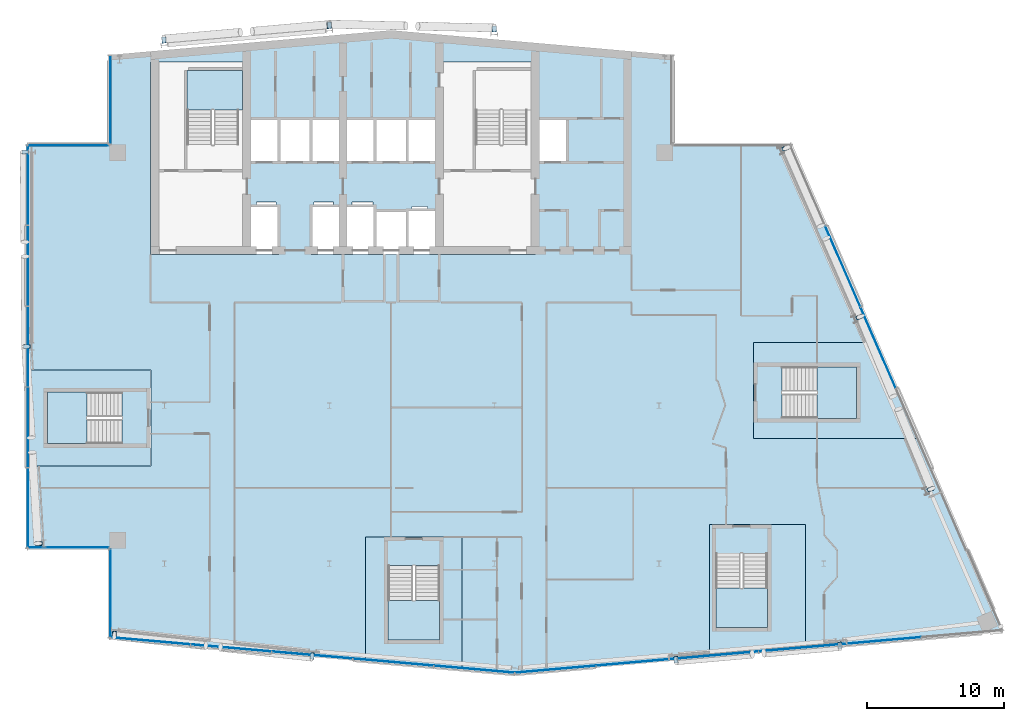
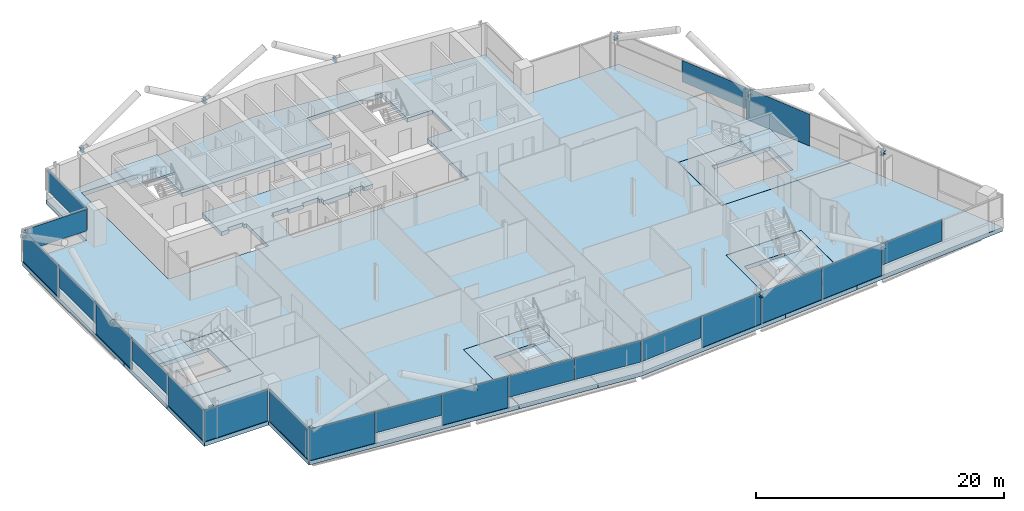
# One storey, part 13 of 28: 21 plates, 14 members, 10 slabs, 13 elements without a shape of their own.
"""IFC4 building model written with IfcOpenShell, lengths in metres."""

from ifc_helpers import new_model, si_unit, direction, frame, origin, origin_2d, place, context, subcontext, project, spatial, polyline, rectangle, i_section, outline, extrude, material, layer, layer_set, material_profile, profile_set, type_object, element, aggregate, save


model = new_model("IFC4")

# Units and contexts
model_context = context("Model", 3, precision=1e-05, world=origin(), true_north=direction((0.0, 1.0)))
body_context = subcontext(model_context, "Body", "Model", "MODEL_VIEW")
ifc_project = project(units=[si_unit("LENGTHUNIT", "METRE"), si_unit("AREAUNIT", "SQUARE_METRE"), si_unit("VOLUMEUNIT", "CUBIC_METRE"), si_unit("PLANEANGLEUNIT", "RADIAN"), si_unit("MASSUNIT", "GRAM", prefix="KILO")], contexts=[model_context])

# Site, building, storey
site_placement = place(None, origin())
site = spatial("IfcSite", under=ifc_project, at=site_placement, CompositionType="ELEMENT")
building_placement = place(site_placement, origin())
building = spatial("IfcBuilding", under=site, at=building_placement, Name="Wharfspan Tower", CompositionType="ELEMENT")
storey_placement = place(building_placement, frame((0.0, 0.0, 250.300049)))
storey = spatial("IfcBuildingStorey", under=building, at=storey_placement, Name="L63", CompositionType="ELEMENT", Elevation=250.300049)

# Members
ifc_material_1 = material(Name="Steel S355J2", Category="steel")
ifc_material_profile = material_profile(ifc_material_1, i_section(OverallWidth=0.300049, OverallDepth=0.300049, WebThickness=0.010986, FlangeThickness=0.019043, FilletRadius=0.0271, at=origin_2d()))
ifc_profile_set = profile_set([ifc_material_profile], Name="Steel S355J2")
member_type = type_object("IfcMemberType", Name="Brace node stub HEB 300", PredefinedType="STRUT", material=ifc_profile_set)
for number, where, z_axis, x_axis, name in (
    (1, (20.37915, 6.553223, 2.899902), (-0.086907, -0.996216, 0.0), (0.996216, -0.086907, 0.0), "Brace node stub L64 S1 A"),
    (2, (34.768311, 4.993896, 2.899902), (-0.086907, -0.996216, 0.0), (0.996216, -0.086907, 0.0), "Brace node stub L64 S1 B"),
    (3, (61.215332, 4.72998, 2.899902), (0.08744, -0.99617, 0.0), (0.99617, 0.08744, 0.0), "Brace node stub L64 S2 A"),
    (4, (73.148438, 5.773926, 2.899902), (0.086907, -0.996216, 0.0), (0.996216, 0.086907, 0.0), "Brace node stub L64 S2 B"),
    (5, (14.098145, 41.459717, 2.899902), (-1.0, 0.0, 0.0), (0.0, -1.0, 0.0), "Brace node stub L64 W A"),
    (6, (14.209961, 27.300049, 2.899902), (-1.0, 0.0, 0.0), (0.0, -1.0, 0.0), "Brace node stub L64 W B"),
):
    element("IfcMember", number, at=place(storey_placement, frame(where, z_axis=z_axis, x_axis=x_axis)), inside=storey, type_object=member_type, Name=name, PredefinedType="STRUT", context=body_context, shape_type="SweptSolid", body=[
        extrude(i_section(OverallWidth=0.300049, OverallDepth=0.300049, WebThickness=0.010986, FlangeThickness=0.019043, FilletRadius=0.0271, at=origin_2d()), origin(), (0.0, 0.0, 1.0), 0.455078),
    ])
member_placement = place(storey_placement, frame((15.087646, 12.963379, 2.899902), z_axis=(-1.0, 0.0, 0.0), x_axis=(0.0, -1.0, 0.0)))
element("IfcMember", 7, at=member_placement, inside=storey, type_object=member_type, Name="Brace node stub L64 W B", PredefinedType="STRUT", context=body_context, shape_type="SweptSolid", body=[
    extrude(i_section(OverallWidth=0.300049, OverallDepth=0.300049, WebThickness=0.010986, FlangeThickness=0.019043, FilletRadius=0.0271, at=origin_2d()), origin(), (0.0, 0.0, 1.0), 0.454834),
])
for number, where, z_axis, x_axis, name in (
    (8, (79.547363, 16.821533, 2.899902), (0.917079, 0.398706, 0.0), (-0.398706, 0.917079, 0.0), "Brace node stub L64 E A"),
    (9, (74.373047, 29.354736, 2.899902), (0.917079, 0.398706, 0.0), (-0.398706, 0.917079, 0.0), "Brace node stub L64 E B"),
    (10, (69.004883, 41.63208, 2.899902), (0.917079, 0.398706, 0.0), (-0.398706, 0.917079, 0.0), "Brace node stub L64 E B"),
    (11, (23.987305, 49.381348, 2.899902), (-0.08744, 0.99617, 0.0), (-0.99617, -0.08744, 0.0), "Brace node stub L64 N1 A"),
    (12, (35.987305, 50.431152, 2.899902), (-0.08744, 0.99617, 0.0), (-0.99617, -0.08744, 0.0), "Brace node stub L64 N1 B"),
):
    element("IfcMember", number, at=place(storey_placement, frame(where, z_axis=z_axis, x_axis=x_axis)), inside=storey, type_object=member_type, Name=name, PredefinedType="STRUT", context=body_context, shape_type="SweptSolid", body=[
        extrude(i_section(OverallWidth=0.300049, OverallDepth=0.300049, WebThickness=0.010986, FlangeThickness=0.019043, FilletRadius=0.0271, at=origin_2d()), origin(), (0.0, 0.0, 1.0), 0.455078),
    ])
for number, where, z_axis, x_axis, name in (
    (13, (36.003906, 50.458008, 2.899902), (0.021466, 0.99977, 0.0), (-0.99977, 0.021466, 0.0), "Brace node stub L64 N1 A"),
    (14, (48.003662, 50.185303, 2.899902), (0.021466, 0.99977, 0.0), (-0.99977, 0.021466, 0.0), "Brace node stub L64 N1 B"),
):
    element("IfcMember", number, at=place(storey_placement, frame(where, z_axis=z_axis, x_axis=x_axis)), inside=storey, type_object=member_type, Name=name, PredefinedType="STRUT", context=body_context, shape_type="SweptSolid", body=[
        extrude(i_section(OverallWidth=0.300049, OverallDepth=0.300049, WebThickness=0.010986, FlangeThickness=0.019043, FilletRadius=0.0271, at=origin_2d()), origin(), (0.0, 0.0, 1.0), 0.454834),
    ])

# Curtain wall, plates
ifc_material_2 = material(Name="Aluminium 6063-T6", Category="aluminium")
curtain_wall_type_1 = type_object("IfcCurtainWallType", Name="CURTAIN WALL FACETED FRONT", PredefinedType="NOTDEFINED", material=ifc_material_2)
curtain_wall_1_placement = place(storey_placement, origin())
curtain_wall_1 = element("IfcCurtainWall", 15, at=curtain_wall_1_placement, inside=storey, type_object=curtain_wall_type_1, Name="Curtain wall S1", PredefinedType="NOTDEFINED")
ifc_material_3 = material(Name="Glass clear low-iron double glazing", Category="glass")
ifc_layer_1 = layer(ifc_material_3, 0.040039)
ifc_layer_set_1 = layer_set([ifc_layer_1], Name="Glass clear low-iron double glazing")
plate_type_1 = type_object("IfcPlateType", Name="GLASS PANEL FACETED FRONT 40", PredefinedType="CURTAIN_PANEL", material=ifc_layer_set_1)
plate_1_placement = place(storey_placement, frame((28.855225, 5.360596, 1.0), z_axis=(0.0, 0.0, 1.0), x_axis=(0.996197, -0.087156, 0.0)))
plate_1 = element("IfcPlate", 16, at=plate_1_placement, type_object=plate_type_1, Name="Curtain wall S1 panel 2", PredefinedType="CURTAIN_PANEL", context=body_context, shape_type="SweptSolid", body=[
    extrude(rectangle(XDim=5.862549, YDim=0.040039, at=origin_2d()), origin(), (0.0, 0.0, 1.0), 2.120117),
])
plate_2_placement = place(storey_placement, frame((40.655273, 4.328125, 1.0), z_axis=(0.0, 0.0, 1.0), x_axis=(0.996197, -0.087156, 0.0)))
plate_2 = element("IfcPlate", 17, at=plate_2_placement, type_object=plate_type_1, Name="Curtain wall S1 panel 4", PredefinedType="CURTAIN_PANEL", context=body_context, shape_type="SweptSolid", body=[
    extrude(rectangle(XDim=5.862549, YDim=0.040039, at=origin_2d()), origin(), (0.0, 0.0, 1.0), 2.120117),
])
plate_3_placement = place(storey_placement, frame((46.540283, 3.813232, 1.0), z_axis=(0.0, 0.0, 1.0), x_axis=(0.996197, -0.087156, 0.0)))
plate_3 = element("IfcPlate", 18, at=plate_3_placement, type_object=plate_type_1, Name="Curtain wall S1 panel 5", PredefinedType="CURTAIN_PANEL", context=body_context, shape_type="SweptSolid", body=[
    extrude(rectangle(XDim=5.83252, YDim=0.040039, at=origin_2d()), origin(), (0.0, 0.0, 1.0), 2.120117),
])

curtain_wall_2_placement = place(storey_placement, origin())
curtain_wall_2 = element("IfcCurtainWall", 19, at=curtain_wall_2_placement, inside=storey, type_object=curtain_wall_type_1, Name="Curtain wall S2", PredefinedType="NOTDEFINED")
plate_4_placement = place(storey_placement, frame((52.468018, 3.813965, 1.0), z_axis=(0.0, 0.0, 1.0), x_axis=(0.996197, 0.087156, 0.0)))
plate_4 = element("IfcPlate", 20, at=plate_4_placement, type_object=plate_type_1, Name="Curtain wall S2 panel 1", PredefinedType="CURTAIN_PANEL", context=body_context, shape_type="SweptSolid", body=[
    extrude(rectangle(XDim=5.849365, YDim=0.040039, at=origin_2d()), origin(), (0.0, 0.0, 1.0), 2.120117),
])
plate_5_placement = place(storey_placement, frame((76.119873, 5.883301, 1.0), z_axis=(0.0, 0.0, 1.0), x_axis=(0.996197, 0.087156, 0.0)))
plate_5 = element("IfcPlate", 21, at=plate_5_placement, type_object=plate_type_1, Name="Curtain wall S2 panel 5", PredefinedType="CURTAIN_PANEL", context=body_context, shape_type="SweptSolid", body=[
    extrude(rectangle(XDim=5.87915, YDim=0.040039, at=origin_2d()), origin(), (0.0, 0.0, 1.0), 2.120117),
])

# Curtain wall, plate
curtain_wall_type_2 = type_object("IfcCurtainWallType", Name="CURTAIN WALL PROW AND END", PredefinedType="NOTDEFINED", material=ifc_material_2)
curtain_wall_3_placement = place(storey_placement, origin())
curtain_wall_3 = element("IfcCurtainWall", 22, at=curtain_wall_3_placement, inside=storey, type_object=curtain_wall_type_2, Name="Curtain wall E", PredefinedType="NOTDEFINED")
ifc_layer_2 = layer(ifc_material_3, 0.040039)
ifc_layer_set_2 = layer_set([ifc_layer_2], Name="Glass clear low-iron double glazing")
plate_type_2 = type_object("IfcPlateType", Name="GLASS PANEL PROW AND END 40", PredefinedType="CURTAIN_PANEL", material=ifc_layer_set_2)
plate_6_placement = place(storey_placement, frame((73.383057, 33.118164, 1.0), z_axis=(0.0, 0.0, 1.0), x_axis=(-0.398727, 0.917072, 0.0)))
plate_6 = element("IfcPlate", 23, at=plate_6_placement, type_object=plate_type_2, Name="Curtain wall E panel 5", PredefinedType="CURTAIN_PANEL", context=body_context, shape_type="SweptSolid", body=[
    extrude(rectangle(XDim=6.373535, YDim=0.040039, at=origin_2d()), origin(), (0.0, 0.0, 1.0), 2.120117),
])

curtain_wall_4_placement = place(storey_placement, origin())
curtain_wall_4 = element("IfcCurtainWall", 24, at=curtain_wall_4_placement, inside=storey, type_object=curtain_wall_type_2, Name="Curtain wall NRW-V", PredefinedType="NOTDEFINED")
plate_7_placement = place(storey_placement, frame((20.080078, 45.262451, 1.0), z_axis=(0.0, 0.0, 1.0), x_axis=(0.0, -1.0, 0.0)))
plate_7 = element("IfcPlate", 25, at=plate_7_placement, type_object=plate_type_2, Name="Curtain wall NRW-V panel 1", PredefinedType="CURTAIN_PANEL", context=body_context, shape_type="SweptSolid", body=[
    extrude(rectangle(XDim=6.405029, YDim=0.040039, at=origin_2d()), origin(), (0.0, 0.0, 1.0), 2.120117),
])
aggregate(curtain_wall_4, [plate_7])

curtain_wall_5_placement = place(storey_placement, origin())
curtain_wall_5 = element("IfcCurtainWall", 26, at=curtain_wall_5_placement, inside=storey, type_object=curtain_wall_type_2, Name="Curtain wall NRW-H", PredefinedType="NOTDEFINED")
plate_8_placement = place(storey_placement, frame((17.0, 41.919922, 1.0), z_axis=(0.0, 0.0, 1.0), x_axis=(-1.0, 0.0, 0.0)))
plate_8 = element("IfcPlate", 27, at=plate_8_placement, type_object=plate_type_2, Name="Curtain wall NRW-H panel 1", PredefinedType="CURTAIN_PANEL", context=body_context, shape_type="SweptSolid", body=[
    extrude(rectangle(XDim=5.879883, YDim=0.040039, at=origin_2d()), origin(), (0.0, 0.0, 1.0), 2.120117),
])
aggregate(curtain_wall_5, [plate_8])

# Curtain wall, plates
curtain_wall_6_placement = place(storey_placement, origin())
curtain_wall_6 = element("IfcCurtainWall", 28, at=curtain_wall_6_placement, inside=storey, type_object=curtain_wall_type_2, Name="Curtain wall W", PredefinedType="NOTDEFINED")
plate_9_placement = place(storey_placement, frame((14.080078, 33.179932, 1.0), z_axis=(0.0, 0.0, 1.0), x_axis=(0.0, -1.0, 0.0)))
plate_9 = element("IfcPlate", 29, at=plate_9_placement, type_object=plate_type_2, Name="Curtain wall W panel 2", PredefinedType="CURTAIN_PANEL", context=body_context, shape_type="SweptSolid", body=[
    extrude(rectangle(XDim=5.820068, YDim=0.040039, at=origin_2d()), origin(), (0.0, 0.0, 1.0), 2.120117),
])
plate_10_placement = place(storey_placement, frame((14.080078, 21.419922, 1.0), z_axis=(0.0, 0.0, 1.0), x_axis=(0.0, -1.0, 0.0)))
plate_10 = element("IfcPlate", 30, at=plate_10_placement, type_object=plate_type_2, Name="Curtain wall W panel 4", PredefinedType="CURTAIN_PANEL", context=body_context, shape_type="SweptSolid", body=[
    extrude(rectangle(XDim=5.820068, YDim=0.040039, at=origin_2d()), origin(), (0.0, 0.0, 1.0), 2.120117),
])

# Plate
ifc_material_4 = material(Name="Aluminium composite opaque insulated panel", Category="aluminium")
ifc_layer_3 = layer(ifc_material_4, 0.040039)
ifc_layer_set_3 = layer_set([ifc_layer_3], Name="Aluminium composite opaque insulated panel")
plate_type_3 = type_object("IfcPlateType", Name="INFILL PANEL FACETED FRONT OPAQUE 40", PredefinedType="SHEET", material=ifc_layer_set_3)
plate_11_placement = place(storey_placement, frame((22.970215, 5.875488, 0.0), z_axis=(0.0, 0.0, 1.0), x_axis=(0.996197, -0.087156, 0.0)))
plate_11 = element("IfcPlate", 31, at=plate_11_placement, type_object=plate_type_3, Name="Curtain wall S1 panel 1", PredefinedType="SHEET", context=body_context, shape_type="SweptSolid", body=[
    extrude(rectangle(XDim=5.83252, YDim=0.040039, at=origin_2d()), origin(), (0.0, 0.0, 1.0), 3.120117),
])

plate_12_placement = place(storey_placement, frame((34.755127, 4.844482, 0.0), z_axis=(0.0, 0.0, 1.0), x_axis=(0.996197, -0.087156, 0.0)))
plate_12 = element("IfcPlate", 32, at=plate_12_placement, type_object=plate_type_3, Name="Curtain wall S1 panel 3", PredefinedType="SHEET", context=body_context, shape_type="SweptSolid", body=[
    extrude(rectangle(XDim=5.862549, YDim=0.040039, at=origin_2d()), origin(), (0.0, 0.0, 1.0), 3.120117),
])

aggregate(curtain_wall_1, [plate_11, plate_1, plate_12, plate_2, plate_3])

plate_13_placement = place(storey_placement, frame((58.369873, 4.330322, 0.0), z_axis=(0.0, 0.0, 1.0), x_axis=(0.996197, 0.087156, 0.0)))
plate_13 = element("IfcPlate", 33, at=plate_13_placement, type_object=plate_type_3, Name="Curtain wall S2 panel 2", PredefinedType="SHEET", context=body_context, shape_type="SweptSolid", body=[
    extrude(rectangle(XDim=5.87915, YDim=0.040039, at=origin_2d()), origin(), (0.0, 0.0, 1.0), 3.120117),
])

plate_14_placement = place(storey_placement, frame((64.286377, 4.848145, 0.0), z_axis=(0.0, 0.0, 1.0), x_axis=(0.996197, 0.087156, 0.0)))
plate_14 = element("IfcPlate", 34, at=plate_14_placement, type_object=plate_type_3, Name="Curtain wall S2 panel 3", PredefinedType="SHEET", context=body_context, shape_type="SweptSolid", body=[
    extrude(rectangle(XDim=5.87915, YDim=0.040039, at=origin_2d()), origin(), (0.0, 0.0, 1.0), 3.120117),
])

plate_15_placement = place(storey_placement, frame((70.203125, 5.365723, 0.0), z_axis=(0.0, 0.0, 1.0), x_axis=(0.996197, 0.087156, 0.0)))
plate_15 = element("IfcPlate", 35, at=plate_15_placement, type_object=plate_type_3, Name="Curtain wall S2 panel 4", PredefinedType="SHEET", context=body_context, shape_type="SweptSolid", body=[
    extrude(rectangle(XDim=5.87915, YDim=0.040039, at=origin_2d()), origin(), (0.0, 0.0, 1.0), 3.120117),
])

aggregate(curtain_wall_2, [plate_4, plate_13, plate_14, plate_15, plate_5])

ifc_layer_4 = layer(ifc_material_4, 0.040039)
ifc_layer_set_4 = layer_set([ifc_layer_4], Name="Aluminium composite opaque insulated panel")
plate_type_4 = type_object("IfcPlateType", Name="INFILL PANEL PROW AND END OPAQUE 40", PredefinedType="SHEET", material=ifc_layer_set_4)
plate_16_placement = place(storey_placement, frame((75.948486, 27.218018, 0.0), z_axis=(0.0, 0.0, 1.0), x_axis=(-0.398727, 0.917072, 0.0)))
plate_16 = element("IfcPlate", 36, at=plate_16_placement, type_object=plate_type_4, Name="Curtain wall E panel 4", PredefinedType="SHEET", context=body_context, shape_type="SweptSolid", body=[
    extrude(rectangle(XDim=6.373535, YDim=0.040039, at=origin_2d()), origin(), (0.0, 0.0, 1.0), 3.120117),
])

aggregate(curtain_wall_3, [plate_16, plate_6])

plate_17_placement = place(storey_placement, frame((14.080078, 39.044922, 0.0), z_axis=(0.0, 0.0, 1.0), x_axis=(0.0, -1.0, 0.0)))
plate_17 = element("IfcPlate", 37, at=plate_17_placement, type_object=plate_type_4, Name="Curtain wall W panel 1", PredefinedType="SHEET", context=body_context, shape_type="SweptSolid", body=[
    extrude(rectangle(XDim=5.790039, YDim=0.040039, at=origin_2d()), origin(), (0.0, 0.0, 1.0), 3.120117),
])

plate_18_placement = place(storey_placement, frame((14.080078, 27.300049, 0.0), z_axis=(0.0, 0.0, 1.0), x_axis=(0.0, -1.0, 0.0)))
plate_18 = element("IfcPlate", 38, at=plate_18_placement, type_object=plate_type_4, Name="Curtain wall W panel 3", PredefinedType="SHEET", context=body_context, shape_type="SweptSolid", body=[
    extrude(rectangle(XDim=5.820068, YDim=0.040039, at=origin_2d()), origin(), (0.0, 0.0, 1.0), 3.120117),
])

plate_19_placement = place(storey_placement, frame((14.080078, 15.554932, 0.0), z_axis=(0.0, 0.0, 1.0), x_axis=(0.0, -1.0, 0.0)))
plate_19 = element("IfcPlate", 39, at=plate_19_placement, type_object=plate_type_4, Name="Curtain wall W panel 5", PredefinedType="SHEET", context=body_context, shape_type="SweptSolid", body=[
    extrude(rectangle(XDim=5.790039, YDim=0.040039, at=origin_2d()), origin(), (0.0, 0.0, 1.0), 3.120117),
])

aggregate(curtain_wall_6, [plate_17, plate_9, plate_18, plate_10, plate_19])

# Curtain wall, plate
curtain_wall_7_placement = place(storey_placement, origin())
curtain_wall_7 = element("IfcCurtainWall", 40, at=curtain_wall_7_placement, inside=storey, type_object=curtain_wall_type_2, Name="Curtain wall NFW-H", PredefinedType="NOTDEFINED")
plate_20_placement = place(storey_placement, frame((17.0, 12.679932, 0.0), z_axis=(0.0, 0.0, 1.0), x_axis=(1.0, 0.0, 0.0)))
plate_20 = element("IfcPlate", 41, at=plate_20_placement, type_object=plate_type_4, Name="Curtain wall NFW-H panel 1", PredefinedType="SHEET", context=body_context, shape_type="SweptSolid", body=[
    extrude(rectangle(XDim=5.879883, YDim=0.040039, at=origin_2d()), origin(), (0.0, 0.0, 1.0), 3.120117),
])
aggregate(curtain_wall_7, [plate_20])

curtain_wall_8_placement = place(storey_placement, origin())
curtain_wall_8 = element("IfcCurtainWall", 42, at=curtain_wall_8_placement, inside=storey, type_object=curtain_wall_type_2, Name="Curtain wall NFW-V", PredefinedType="NOTDEFINED")
plate_21_placement = place(storey_placement, frame((20.080078, 9.337646, 0.0), z_axis=(0.0, 0.0, 1.0), x_axis=(0.0, -1.0, 0.0)))
plate_21 = element("IfcPlate", 43, at=plate_21_placement, type_object=plate_type_4, Name="Curtain wall NFW-V panel 1", PredefinedType="SHEET", context=body_context, shape_type="SweptSolid", body=[
    extrude(rectangle(XDim=6.405029, YDim=0.040039, at=origin_2d()), origin(), (0.0, 0.0, 1.0), 3.120117),
])
aggregate(curtain_wall_8, [plate_21])

# Slabs
ifc_material_5 = material(Name="Concrete C40/50", Category="concrete")
ifc_layer_5 = layer(ifc_material_5, 0.399902)
ifc_layer_set_5 = layer_set([ifc_layer_5], Name="Concrete C40/50")
slab_type_1 = type_object("IfcSlabType", Name="Post-tensioned flat slab 400", PredefinedType="FLOOR", material=ifc_layer_set_5)
slab_1_placement = place(storey_placement, frame((0.0, 0.0, -0.400146)))
element("IfcSlab", 44, at=slab_1_placement, inside=storey, type_object=slab_type_1, Name="Floor slab L63", PredefinedType="FLOOR", context=body_context, shape_type="SweptSolid", body=[
    extrude(outline(polyline([(38.64209, 4.444092), (38.64209, 13.453125), (45.662109, 13.453125), (45.662109, 3.829834), (49.5, 3.494141), (63.658691, 4.73291), (63.658691, 14.356201), (70.678711, 14.356201), (70.678711, 5.347168), (85.0, 6.600098), (78.91748, 20.590088), (66.859619, 20.590088), (66.859619, 27.610107), (75.865234, 27.610107), (69.608643, 42.0), (61.0, 42.0), (61.0, 48.524902), (40.5, 50.318359), (20.0, 48.524902), (20.0, 42.0), (14.0, 42.0), (14.0, 25.610107), (23.01001, 25.610107), (23.01001, 18.590088), (14.0, 18.590088), (14.0, 12.600098), (20.0, 12.600098), (20.0, 6.075195), (38.64209, 4.444092)]), holes=[polyline([(32.126709, 37.560059), (32.343262, 37.560059), (32.343262, 33.98999), (22.98999, 33.98999), (22.98999, 48.01001), (30.01001, 48.01001), (30.01001, 43.909912), (43.98999, 43.909912), (43.98999, 48.01001), (51.01001, 48.01001), (51.01001, 43.909912), (53.343262, 43.909912), (53.343262, 40.689941), (51.01001, 40.689941), (51.01001, 33.98999), (34.656738, 33.98999), (34.656738, 37.560059), (34.873291, 37.560059), (34.873291, 37.810059), (36.293213, 37.810059), (36.293213, 37.560059), (37.666748, 37.560059), (37.666748, 37.810059), (39.166748, 37.810059), (39.166748, 37.560059), (39.343262, 37.560059), (39.343262, 37.209961), (41.656738, 37.209961), (41.656738, 37.26001), (42.023193, 37.26001), (42.023193, 37.51001), (43.143311, 37.51001), (43.143311, 37.26001), (43.98999, 37.26001), (43.98999, 40.689941), (30.01001, 40.689941), (30.01001, 37.560059), (30.706787, 37.560059), (30.706787, 37.810059), (32.126709, 37.810059), (32.126709, 37.560059)])]), origin(), (0.0, 0.0, 1.0), 0.400146),
])
slab_2_placement = place(storey_placement, frame((0.0, 0.0, -0.400146)))
element("IfcSlab", 45, at=slab_2_placement, inside=storey, type_object=slab_type_1, Name="Core floor slab L63 part 1", PredefinedType="FLOOR", context=body_context, shape_type="SweptSolid", body=[
    extrude(outline(polyline([(23.0, 19.925049), (23.0, 24.274902), (23.0, 25.600098), (14.0, 25.600098), (14.0, 18.600098), (23.0, 18.600098), (23.0, 19.925049)]), holes=[polyline([(20.899902, 23.977051), (20.900146, 23.977051), (20.900391, 23.977051), (20.900635, 23.976807), (20.900879, 23.976807), (20.900879, 23.976807), (20.901123, 23.976807), (20.901367, 23.976562), (20.901367, 23.976318), (20.901611, 23.976318), (20.901611, 23.976074), (20.901855, 23.97583), (20.901855, 23.97583), (20.901855, 23.975586), (20.9021, 23.975342), (20.9021, 23.975098), (20.9021, 23.975098), (20.9021, 20.225098), (20.9021, 20.224854), (20.9021, 20.224609), (20.901855, 20.224365), (20.901855, 20.224121), (20.901855, 20.224121), (20.901611, 20.223877), (20.901611, 20.223633), (20.901367, 20.223633), (20.901367, 20.223389), (20.901123, 20.223389), (20.900879, 20.223145), (20.900879, 20.223145), (20.900635, 20.223145), (20.900391, 20.2229), (20.900146, 20.2229), (20.899902, 20.2229), (15.5, 20.2229), (15.499756, 20.2229), (15.499512, 20.2229), (15.499512, 20.223145), (15.499268, 20.223145), (15.499023, 20.223145), (15.498779, 20.223389), (15.498779, 20.223389), (15.498535, 20.223633), (15.498535, 20.223633), (15.498291, 20.223877), (15.498291, 20.224121), (15.498291, 20.224121), (15.498047, 20.224365), (15.498047, 20.224609), (15.498047, 20.224854), (15.498047, 20.225098), (15.498047, 23.975098), (15.498047, 23.975098), (15.498047, 23.975342), (15.498047, 23.975586), (15.498291, 23.97583), (15.498291, 23.97583), (15.498291, 23.976074), (15.498535, 23.976318), (15.498535, 23.976318), (15.498779, 23.976562), (15.498779, 23.976807), (15.499023, 23.976807), (15.499268, 23.976807), (15.499512, 23.976807), (15.499512, 23.977051), (15.499756, 23.977051), (15.5, 23.977051), (20.899902, 23.977051)])]), origin(), (0.0, 0.0, 1.0), 0.400146),
])
slab_3_placement = place(storey_placement, frame((0.0, 0.0, -0.400146)))
element("IfcSlab", 46, at=slab_3_placement, inside=storey, type_object=slab_type_1, Name="Core floor slab L63 part 3", PredefinedType="FLOOR", context=body_context, shape_type="SweptSolid", body=[
    extrude(outline(polyline([(44.327148, 13.443115), (39.977051, 13.443115), (38.6521, 13.443115), (38.6521, 4.443115), (45.6521, 3.830811), (45.6521, 13.443115), (44.327148, 13.443115)]), holes=[polyline([(40.275146, 11.343262), (40.275146, 11.343506), (40.275146, 11.343506), (40.275146, 11.34375), (40.275391, 11.343994), (40.275391, 11.344238), (40.275391, 11.344238), (40.275635, 11.344482), (40.275635, 11.344482), (40.275879, 11.344727), (40.275879, 11.344971), (40.276123, 11.344971), (40.276367, 11.345215), (40.276611, 11.345215), (40.276611, 11.345215), (40.276855, 11.345215), (40.2771, 11.345215), (44.0271, 11.345215), (44.027344, 11.345215), (44.027588, 11.345215), (44.027588, 11.345215), (44.027832, 11.345215), (44.028076, 11.344971), (44.02832, 11.344971), (44.02832, 11.344727), (44.028564, 11.344482), (44.028809, 11.344482), (44.028809, 11.344238), (44.028809, 11.344238), (44.029053, 11.343994), (44.029053, 11.34375), (44.029053, 11.343506), (44.029053, 11.343506), (44.029053, 11.343262), (44.029053, 5.943115), (44.029053, 5.943115), (44.029053, 5.942871), (44.029053, 5.942627), (44.029053, 5.942383), (44.028809, 5.942383), (44.028809, 5.942139), (44.028809, 5.941895), (44.028564, 5.941895), (44.02832, 5.94165), (44.02832, 5.94165), (44.028076, 5.941406), (44.027832, 5.941406), (44.027588, 5.941406), (44.027588, 5.941406), (44.027344, 5.941162), (44.0271, 5.941162), (40.2771, 5.941162), (40.276855, 5.941162), (40.276611, 5.941406), (40.276611, 5.941406), (40.276367, 5.941406), (40.276123, 5.941406), (40.275879, 5.94165), (40.275879, 5.94165), (40.275635, 5.941895), (40.275635, 5.941895), (40.275391, 5.942139), (40.275391, 5.942383), (40.275391, 5.942383), (40.275146, 5.942627), (40.275146, 5.942871), (40.275146, 5.943115), (40.275146, 5.943115), (40.275146, 11.343262)])]), origin(), (0.0, 0.0, 1.0), 0.400146),
])
slab_4_placement = place(storey_placement, frame((0.0, 0.0, -0.400146)))
element("IfcSlab", 47, at=slab_4_placement, inside=storey, type_object=slab_type_1, Name="Core floor slab L63 part 4", PredefinedType="FLOOR", context=body_context, shape_type="SweptSolid", body=[
    extrude(outline(polyline([(70.668701, 14.346191), (68.193848, 14.346191), (63.84375, 14.346191), (63.668701, 14.346191), (63.668701, 4.733887), (70.668701, 5.346191), (70.668701, 14.346191)]), holes=[polyline([(64.141846, 12.246094), (64.141846, 12.246338), (64.141846, 12.246582), (64.141846, 12.246826), (64.14209, 12.246826), (64.14209, 12.24707), (64.14209, 12.247314), (64.142334, 12.247559), (64.142334, 12.247559), (64.142578, 12.247803), (64.142578, 12.247803), (64.142822, 12.247803), (64.143066, 12.248047), (64.143311, 12.248047), (64.143311, 12.248047), (64.143555, 12.248291), (64.143799, 12.248291), (67.893799, 12.248291), (67.894043, 12.248291), (67.894287, 12.248047), (67.894287, 12.248047), (67.894531, 12.248047), (67.894775, 12.247803), (67.89502, 12.247803), (67.89502, 12.247803), (67.895264, 12.247559), (67.895508, 12.247559), (67.895508, 12.247314), (67.895508, 12.24707), (67.895752, 12.246826), (67.895752, 12.246826), (67.895752, 12.246582), (67.895752, 12.246338), (67.895752, 12.246094), (67.895752, 6.846191), (67.895752, 6.845947), (67.895752, 6.845703), (67.895752, 6.845703), (67.895752, 6.845459), (67.895508, 6.845215), (67.895508, 6.845215), (67.895508, 6.844971), (67.895264, 6.844727), (67.89502, 6.844482), (67.89502, 6.844482), (67.894775, 6.844482), (67.894531, 6.844238), (67.894287, 6.844238), (67.894287, 6.844238), (67.894043, 6.844238), (67.893799, 6.844238), (64.143799, 6.844238), (64.143555, 6.844238), (64.143311, 6.844238), (64.143311, 6.844238), (64.143066, 6.844238), (64.142822, 6.844482), (64.142578, 6.844482), (64.142578, 6.844482), (64.142334, 6.844727), (64.142334, 6.844971), (64.14209, 6.845215), (64.14209, 6.845215), (64.14209, 6.845459), (64.141846, 6.845703), (64.141846, 6.845703), (64.141846, 6.845947), (64.141846, 6.846191), (64.141846, 12.246094)])]), origin(), (0.0, 0.0, 1.0), 0.400146),
])
slab_5_placement = place(storey_placement, frame((0.0, 0.0, -0.400146)))
element("IfcSlab", 48, at=slab_5_placement, inside=storey, type_object=slab_type_1, Name="Core floor slab L63 part 5", PredefinedType="FLOOR", context=body_context, shape_type="SweptSolid", body=[
    extrude(outline(polyline([(75.869629, 27.600098), (66.869629, 27.600098), (66.869629, 26.125), (66.869629, 21.774902), (66.869629, 20.600098), (78.913086, 20.600098), (75.869629, 27.600098)]), holes=[polyline([(68.967529, 25.824951), (68.967529, 25.825195), (68.967529, 25.825439), (68.967773, 25.825684), (68.967773, 25.825684), (68.967773, 25.825928), (68.968018, 25.826172), (68.968018, 25.826416), (68.968262, 25.826416), (68.968262, 25.826416), (68.968506, 25.82666), (68.968506, 25.826904), (68.96875, 25.826904), (68.968994, 25.826904), (68.969238, 25.826904), (68.969482, 25.826904), (68.969482, 25.826904), (74.369629, 25.826904), (74.369873, 25.826904), (74.370117, 25.826904), (74.370117, 25.826904), (74.370361, 25.826904), (74.370605, 25.826904), (74.370605, 25.82666), (74.37085, 25.826416), (74.371094, 25.826416), (74.371094, 25.826416), (74.371094, 25.826172), (74.371338, 25.825928), (74.371338, 25.825684), (74.371582, 25.825684), (74.371582, 25.825439), (74.371582, 25.825195), (74.371582, 25.824951), (74.371582, 22.074951), (74.371582, 22.074707), (74.371582, 22.074707), (74.371582, 22.074463), (74.371338, 22.074219), (74.371338, 22.074219), (74.371094, 22.073975), (74.371094, 22.07373), (74.371094, 22.073486), (74.37085, 22.073486), (74.370605, 22.073242), (74.370605, 22.073242), (74.370361, 22.073242), (74.370117, 22.072998), (74.370117, 22.072998), (74.369873, 22.072998), (74.369629, 22.072998), (68.969482, 22.072998), (68.969482, 22.072998), (68.969238, 22.072998), (68.968994, 22.072998), (68.96875, 22.073242), (68.968506, 22.073242), (68.968506, 22.073242), (68.968262, 22.073486), (68.968262, 22.073486), (68.968018, 22.07373), (68.968018, 22.073975), (68.967773, 22.074219), (68.967773, 22.074219), (68.967773, 22.074463), (68.967529, 22.074707), (68.967529, 22.074707), (68.967529, 22.074951), (68.967529, 25.824951)])]), origin(), (0.0, 0.0, 1.0), 0.400146),
])

# Stair, slab
stair_type = type_object("IfcStairType", Name="Half-turn stair 20 risers 180 mm", PredefinedType="HALF_TURN_STAIR", material=ifc_material_5)
stair_1_placement = place(storey_placement, origin())
stair_1 = element("IfcStair", 49, at=stair_1_placement, inside=storey, type_object=stair_type, Name="L63 stair ST1", PredefinedType="HALF_TURN_STAIR")
ifc_layer_6 = layer(ifc_material_5, 0.199951)
ifc_layer_set_6 = layer_set([ifc_layer_6], Name="Concrete C40/50")
slab_type_2 = type_object("IfcSlabType", Name="Stair landing 200", PredefinedType="LANDING", material=ifc_layer_set_6)
slab_6_placement = place(storey_placement, frame((0.0, 0.0, 1.599854)))
slab_6 = element("IfcSlab", 50, at=slab_6_placement, type_object=slab_type_2, Name="ST1 landing 1", PredefinedType="LANDING", context=body_context, shape_type="SweptSolid", body=[
    extrude(outline(polyline([(25.649902, 44.52002), (29.699951, 44.52002), (29.699951, 47.399902), (25.649902, 47.399902), (25.649902, 44.52002)])), origin(), (0.0, 0.0, 1.0), 0.200195),
])
aggregate(stair_1, [slab_6])

stair_2_placement = place(storey_placement, origin())
stair_2 = element("IfcStair", 51, at=stair_2_placement, inside=storey, type_object=stair_type, Name="L63 stair ST3", PredefinedType="HALF_TURN_STAIR")
slab_7_placement = place(storey_placement, frame((0.0, 0.0, 1.599854)))
slab_7 = element("IfcSlab", 52, at=slab_7_placement, type_object=slab_type_2, Name="ST3 landing 1", PredefinedType="LANDING", context=body_context, shape_type="SweptSolid", body=[
    extrude(outline(polyline([(18.379883, 23.975098), (15.5, 23.975098), (15.5, 20.225098), (18.379883, 20.225098), (18.379883, 23.975098)])), origin(), (0.0, 0.0, 1.0), 0.200195),
])
aggregate(stair_2, [slab_7])

stair_3_placement = place(storey_placement, origin())
stair_3 = element("IfcStair", 53, at=stair_3_placement, inside=storey, type_object=stair_type, Name="L63 stair ST4", PredefinedType="HALF_TURN_STAIR")
slab_8_placement = place(storey_placement, frame((0.0, 0.0, 1.599854)))
slab_8 = element("IfcSlab", 54, at=slab_8_placement, type_object=slab_type_2, Name="ST4 landing 1", PredefinedType="LANDING", context=body_context, shape_type="SweptSolid", body=[
    extrude(outline(polyline([(40.2771, 8.823242), (40.2771, 5.943115), (44.0271, 5.943115), (44.0271, 8.823242), (40.2771, 8.823242)])), origin(), (0.0, 0.0, 1.0), 0.200195),
])
aggregate(stair_3, [slab_8])

stair_4_placement = place(storey_placement, origin())
stair_4 = element("IfcStair", 55, at=stair_4_placement, inside=storey, type_object=stair_type, Name="L63 stair ST5", PredefinedType="HALF_TURN_STAIR")
slab_9_placement = place(storey_placement, frame((0.0, 0.0, 1.599854)))
slab_9 = element("IfcSlab", 56, at=slab_9_placement, type_object=slab_type_2, Name="ST5 landing 1", PredefinedType="LANDING", context=body_context, shape_type="SweptSolid", body=[
    extrude(outline(polyline([(64.143799, 9.726074), (64.143799, 6.846191), (67.893799, 6.846191), (67.893799, 9.726074), (64.143799, 9.726074)])), origin(), (0.0, 0.0, 1.0), 0.200195),
])
aggregate(stair_4, [slab_9])

stair_5_placement = place(storey_placement, origin())
stair_5 = element("IfcStair", 57, at=stair_5_placement, inside=storey, type_object=stair_type, Name="L63 stair ST6", PredefinedType="HALF_TURN_STAIR")
slab_10_placement = place(storey_placement, frame((0.0, 0.0, 1.599854)))
slab_10 = element("IfcSlab", 58, at=slab_10_placement, type_object=slab_type_2, Name="ST6 landing 1", PredefinedType="LANDING", context=body_context, shape_type="SweptSolid", body=[
    extrude(outline(polyline([(71.489502, 22.074951), (74.369629, 22.074951), (74.369629, 25.824951), (71.489502, 25.824951), (71.489502, 22.074951)])), origin(), (0.0, 0.0, 1.0), 0.200195),
])
aggregate(stair_5, [slab_10])

save(model, "model.ifc")
